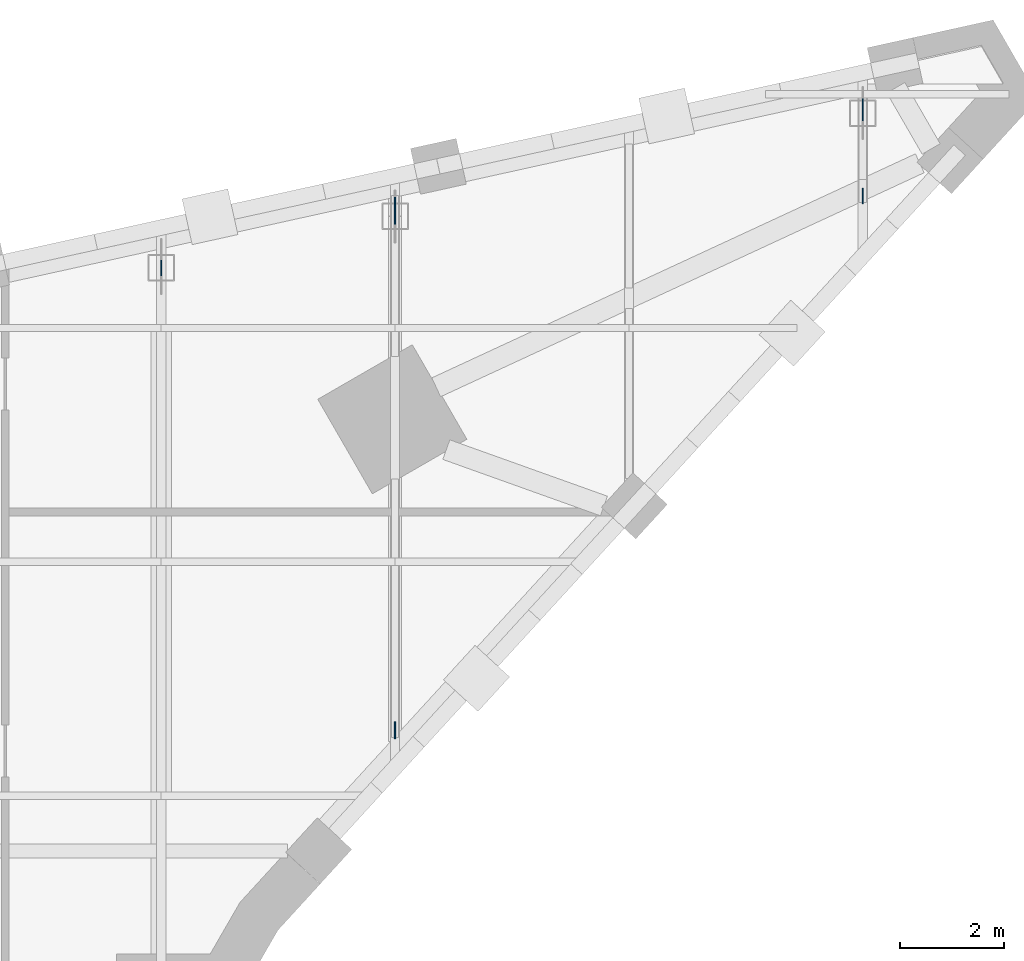
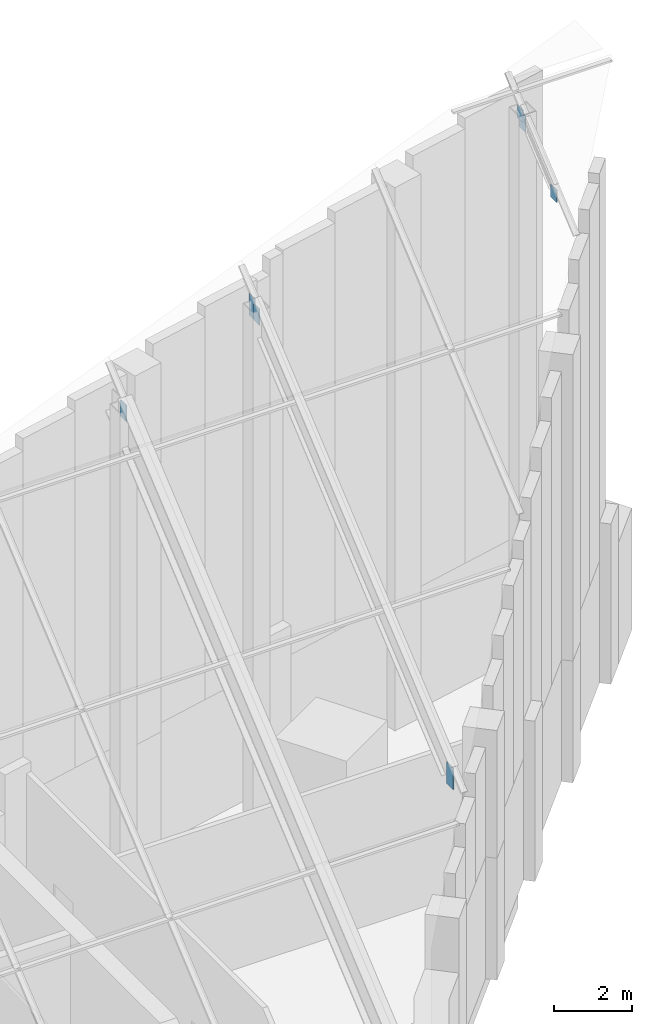
# One storey, part 18 of 19: 7 discrete accessories.
"""IFC4 building model written with IfcOpenShell, lengths in metres."""

from ifc_helpers import new_model, si_unit, direction, frame, origin, origin_2d, place, context, subcontext, project, spatial, rectangle, extrude, material, type_object, element, save


model = new_model("IFC4")

# Units and contexts
model_context = context("Model", 3, precision=1e-05, world=origin(), true_north=direction((0.0, 1.0)))
body_context = subcontext(model_context, "Body", "Model", "MODEL_VIEW")
ifc_project = project(units=[si_unit("LENGTHUNIT", "METRE"), si_unit("AREAUNIT", "SQUARE_METRE"), si_unit("VOLUMEUNIT", "CUBIC_METRE"), si_unit("PLANEANGLEUNIT", "RADIAN"), si_unit("MASSUNIT", "GRAM", prefix="KILO")], contexts=[model_context])

# Site, building, storey
site_placement = place(None, origin())
site = spatial("IfcSite", under=ifc_project, at=site_placement, CompositionType="ELEMENT")
building_placement = place(site_placement, origin())
building = spatial("IfcBuilding", under=site, at=building_placement, Name="Calabash Gate Tower", CompositionType="ELEMENT")
storey_placement = place(building_placement, frame((0.0, 0.0, 335.5)))
storey = spatial("IfcBuildingStorey", under=building, at=storey_placement, Name="L78", CompositionType="ELEMENT", Elevation=335.5)

# Discrete accessories
ifc_material = material(Name="Steel ASTM A572 Gr50", Category="steel")
discrete_accessory_type = type_object("IfcDiscreteAccessoryType", Name="Connection plate 25", PredefinedType="BRACKET", material=ifc_material)
discrete_accessory_1_placement = place(storey_placement, frame((18.0, 19.404052734375, 14.4697265625), z_axis=(0.0, 0.0, 1.0), x_axis=(0.0, 1.0, 0.0)))
element("IfcDiscreteAccessory", 1, at=discrete_accessory_1_placement, inside=storey, type_object=discrete_accessory_type, Name="Connection plate Roof post 12 end", PredefinedType="BRACKET", context=body_context, shape_type="SweptSolid", body=[
    extrude(rectangle(XDim=0.300048828125, YDim=0.02490234375, at=origin_2d()), origin(), (0.0, 0.0, 1.0), 0.508056640625),
])
discrete_accessory_2_placement = place(storey_placement, frame((22.5, 10.508056640625, 6.820068359375), z_axis=(0.0, 0.0, 1.0), x_axis=(0.0, 1.0, 0.0)))
element("IfcDiscreteAccessory", 2, at=discrete_accessory_2_placement, inside=storey, type_object=discrete_accessory_type, Name="Connection plate Roof rafter 8 start", PredefinedType="BRACKET", context=body_context, shape_type="SweptSolid", body=[
    extrude(rectangle(XDim=0.335205078125, YDim=0.02490234375, at=origin_2d()), origin(), (0.0, 0.0, 1.0), 0.67822265625),
])
discrete_accessory_3_placement = place(storey_placement, frame((22.5, 20.614990234375, 15.3154296875), z_axis=(0.0, 0.0, 1.0), x_axis=(0.0, 1.0, 0.0)))
element("IfcDiscreteAccessory", 3, at=discrete_accessory_3_placement, inside=storey, type_object=discrete_accessory_type, Name="Connection plate Roof rafter 8 end", PredefinedType="BRACKET", context=body_context, shape_type="SweptSolid", body=[
    extrude(rectangle(XDim=0.300048828125, YDim=0.02490234375, at=origin_2d()), origin(), (0.0, 0.0, 1.0), 0.67822265625),
])
discrete_accessory_4_placement = place(storey_placement, frame((22.5, 20.39697265625, 15.302734375), z_axis=(0.0, 0.0, 1.0), x_axis=(0.0, 1.0, 0.0)))
element("IfcDiscreteAccessory", 4, at=discrete_accessory_4_placement, inside=storey, type_object=discrete_accessory_type, Name="Connection plate Roof post 14 end", PredefinedType="BRACKET", context=body_context, shape_type="SweptSolid", body=[
    extrude(rectangle(XDim=0.300048828125, YDim=0.02490234375, at=origin_2d()), origin(), (0.0, 0.0, 1.0), 0.508056640625),
])
for number, where, z_axis, x_axis, name in (
    (5, (31.5, 20.789794921875, 15.74169921875), (0.0, 0.0, 1.0), (0.0, 1.0, 0.0), "Connection plate Roof rafter 9 start"),
    (6, (31.5, 22.51123046875, 17.18603515625), (0.0, 0.0, 1.0), (0.0, 1.0, 0.0), "Connection plate Roof rafter 9 end"),
):
    element("IfcDiscreteAccessory", number, at=place(storey_placement, frame(where, z_axis=z_axis, x_axis=x_axis)), inside=storey, type_object=discrete_accessory_type, Name=name, PredefinedType="BRACKET", context=body_context, shape_type="SweptSolid", body=[
        extrude(rectangle(XDim=0.300048828125, YDim=0.02490234375, at=origin_2d()), origin(), (0.0, 0.0, 1.0), 0.398681640625),
    ])
discrete_accessory_5_placement = place(storey_placement, frame((31.5, 22.383056640625, 16.96923828125), z_axis=(0.0, 0.0, 1.0), x_axis=(0.0, 1.0, 0.0)))
element("IfcDiscreteAccessory", 7, at=discrete_accessory_5_placement, inside=storey, type_object=discrete_accessory_type, Name="Connection plate Roof post 16 end", PredefinedType="BRACKET", context=body_context, shape_type="SweptSolid", body=[
    extrude(rectangle(XDim=0.300048828125, YDim=0.02490234375, at=origin_2d()), origin(), (0.0, 0.0, 1.0), 0.508056640625),
])

save(model, "model.ifc")
